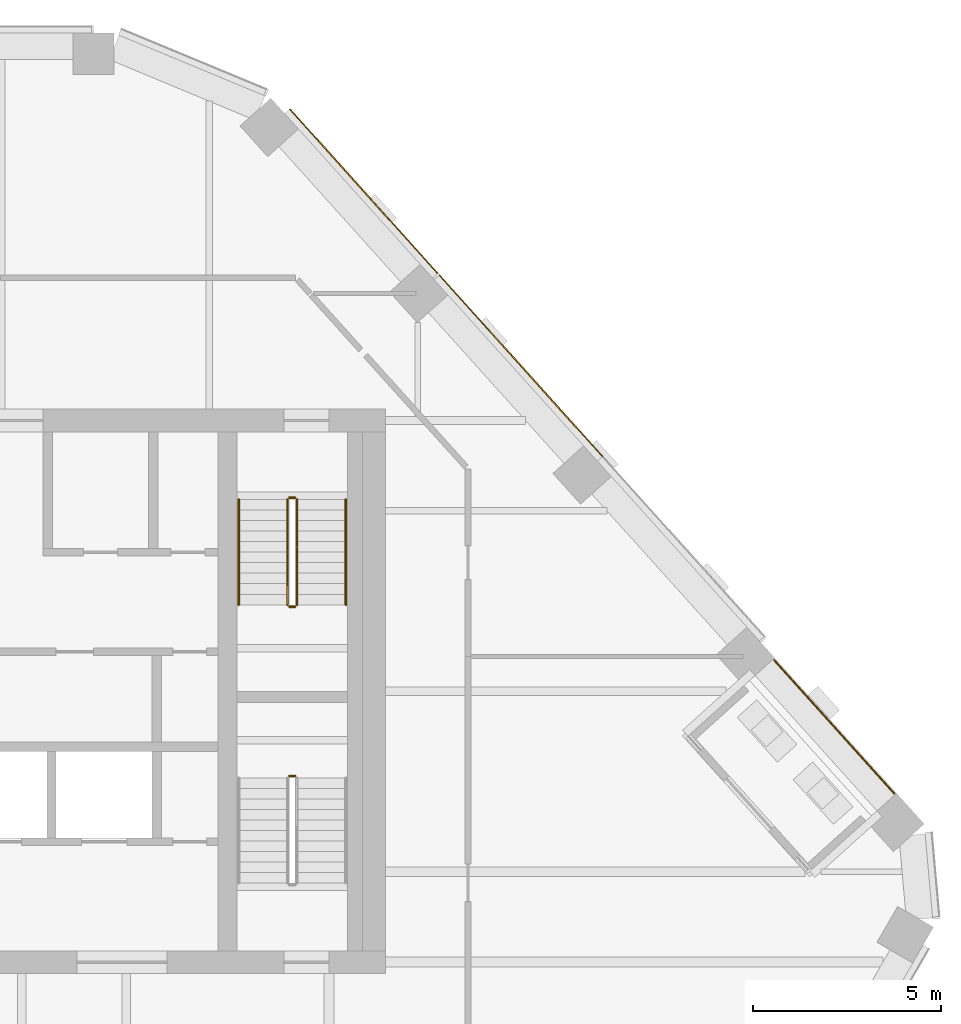
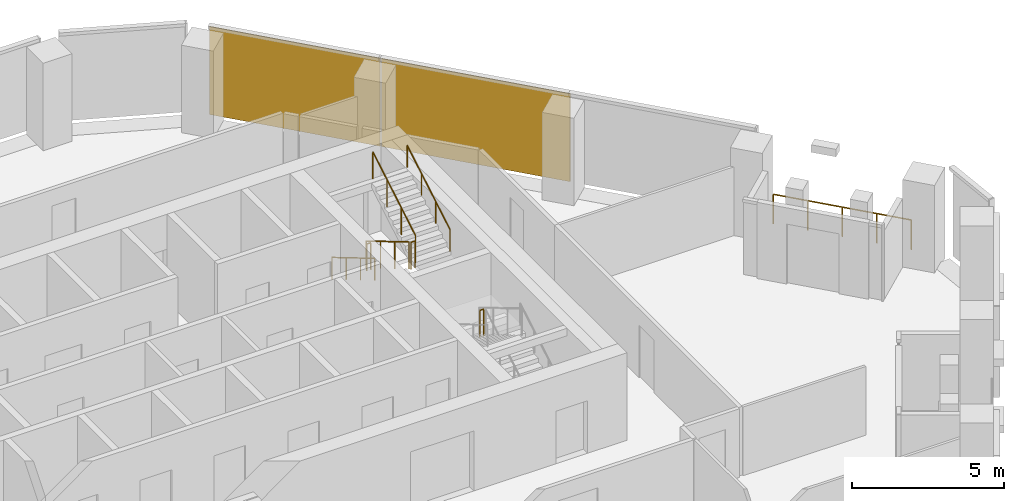
# One storey, part 24 of 25: 8 railings, 2 coverings, 1 element without a shape of its own.
"""IFC4 building model written with IfcOpenShell, lengths in metres."""

from ifc_helpers import new_model, si_unit, direction, frame, origin, origin_2d, place, context, subcontext, project, spatial, rectangle, circle, extrude, material, layer, layer_set, type_object, element, aggregate, save


model = new_model("IFC4")

# Units and contexts
model_context = context("Model", 3, precision=1e-05, world=origin(), true_north=direction((0.0, 1.0)))
body_context = subcontext(model_context, "Body", "Model", "MODEL_VIEW")
ifc_project = project(units=[si_unit("LENGTHUNIT", "METRE"), si_unit("AREAUNIT", "SQUARE_METRE"), si_unit("VOLUMEUNIT", "CUBIC_METRE"), si_unit("PLANEANGLEUNIT", "RADIAN"), si_unit("MASSUNIT", "GRAM", prefix="KILO")], contexts=[model_context])

# Site, building, storey
site_placement = place(None, origin())
site = spatial("IfcSite", under=ifc_project, at=site_placement, CompositionType="ELEMENT")
building_placement = place(site_placement, origin())
building = spatial("IfcBuilding", under=site, at=building_placement, Name="Isthmus Gate Tower", CompositionType="ELEMENT")
storey_placement = place(building_placement, frame((0.0, 0.0, 249.14990234375)))
storey = spatial("IfcBuildingStorey", under=building, at=storey_placement, Name="L63", CompositionType="ELEMENT", Elevation=249.14990234375)

# Curtain wall, coverings
ifc_material_1 = material(Name="Aluminium, pale champagne anodised", Category="aluminium")
ifc_layer_1 = layer(ifc_material_1, 0.199951171875)
ifc_layer_set_1 = layer_set([ifc_layer_1], Name="CW-1 UNITISED CURTAIN WALL 200 DEEP")
curtain_wall_type = type_object("IfcCurtainWallType", Name="CW-1 UNITISED CURTAIN WALL 200 DEEP", PredefinedType="NOTDEFINED", material=ifc_layer_set_1)
curtain_wall_placement = place(storey_placement, origin())
curtain_wall = element("IfcCurtainWall", 1, at=curtain_wall_placement, inside=storey, type_object=curtain_wall_type, Name="CW-1 NE L63", PredefinedType="NOTDEFINED")
ifc_material_2 = material(Name="Aluminium composite panel, pale champagne anodised", Category="aluminium")
ifc_layer_2 = layer(ifc_material_2, 0.031982421875)
ifc_layer_set_2 = layer_set([ifc_layer_2], Name="CW-1 PALE METAL PANEL 32")
covering_type = type_object("IfcCoveringType", Name="CW-1 PALE METAL PANEL 32", PredefinedType="CLADDING", material=ifc_layer_set_2)
covering_1_placement = place(storey_placement, frame((18.60693359375, 16.1552734375, 0.0), z_axis=(0.0, 0.0, 1.0), x_axis=(-0.669130606359, 0.743144825477, 0.0)))
covering_1 = element("IfcCovering", 2, at=covering_1_placement, type_object=covering_type, Name="CW-1 pale metal panel", PredefinedType="CLADDING", context=body_context, shape_type="SweptSolid", body=[
    extrude(rectangle(XDim=6.491943359375, YDim=0.031982421875, at=origin_2d()), origin(), (0.0, 0.0, 1.0), 3.52001953125),
])
covering_2_placement = place(storey_placement, frame((14.427001953125, 20.797607421875, 0.0), z_axis=(0.0, 0.0, 1.0), x_axis=(-0.669130606359, 0.743144825477, 0.0)))
covering_2 = element("IfcCovering", 3, at=covering_2_placement, type_object=covering_type, Name="CW-1 pale metal panel", PredefinedType="CLADDING", context=body_context, shape_type="SweptSolid", body=[
    extrude(rectangle(XDim=5.8818359375, YDim=0.031982421875, at=origin_2d()), origin(), (0.0, 0.0, 1.0), 3.52001953125),
])
aggregate(curtain_wall, [covering_1, covering_2])

# Railings
ifc_material_3 = material(Name="Toughened laminated glass with stainless steel posts", Category="steel")
railing_type_1 = type_object("IfcRailingType", Name="GUARD 1200 FRAMELESS GLASS", PredefinedType="GUARDRAIL", material=ifc_material_3)
railing_1_placement = place(storey_placement, frame((28.530029296875, 4.784912109375, 0.0)))
element("IfcRailing", 4, at=railing_1_placement, inside=storey, type_object=railing_type_1, Name="LOGGIA GUARD", PredefinedType="GUARDRAIL", context=body_context, shape_type="SweptSolid", body=[
    extrude(circle(Radius=0.02490234375, at=origin_2d()), frame((0.0, 0.0, 1.1748046875), z_axis=(-0.669120508754, 0.743153917277, 0.0), x_axis=(-0.743153917277, -0.669120508754, 0.0)), (0.0, 0.0, 1.0), 4.761962890625),
    extrude(circle(Radius=0.02490234375, at=origin_2d()), origin(), (0.0, 0.0, 1.0), 1.14990234375),
    extrude(circle(Radius=0.02490234375, at=origin_2d()), frame((-0.796630859375, 0.884765625, 0.0)), (0.0, 0.0, 1.0), 1.14990234375),
    extrude(circle(Radius=0.02490234375, at=origin_2d()), frame((-1.59326171875, 1.76953125, 0.0)), (0.0, 0.0, 1.0), 1.14990234375),
    extrude(circle(Radius=0.02490234375, at=origin_2d()), frame((-2.3896484375, 2.654052734375, 0.0)), (0.0, 0.0, 1.0), 1.14990234375),
    extrude(circle(Radius=0.02490234375, at=origin_2d()), frame((-3.186279296875, 3.538818359375, 0.0)), (0.0, 0.0, 1.0), 1.14990234375),
])
ifc_material_4 = material(Name="Stainless steel balustrade", Category="steel")
railing_type_2 = type_object("IfcRailingType", Name="STAIR GUARD 1100", PredefinedType="GUARDRAIL", material=ifc_material_4)
railing_2_placement = place(storey_placement, frame((12.39990234375, 12.60009765625, 0.166015625)))
element("IfcRailing", 5, at=railing_2_placement, inside=storey, type_object=railing_type_2, Name="L63 ST2 stair guard 1", PredefinedType="GUARDRAIL", context=body_context, shape_type="SweptSolid", body=[
    extrude(circle(Radius=0.02392578125, at=origin_2d()), frame((0.0, 0.0, 1.076171875), z_axis=(0.0, -0.860306154799, 0.50977771628), x_axis=(1.0, 0.0, 0.0)), (0.0, 0.0, 1.0), 3.254638671875),
    extrude(circle(Radius=0.02099609375, at=origin_2d()), origin(), (0.0, 0.0, 1.0), 1.052001953125),
    extrude(circle(Radius=0.02099609375, at=origin_2d()), frame((0.0, -0.933349609375, 0.552978515625)), (0.0, 0.0, 1.0), 1.052001953125),
    extrude(circle(Radius=0.02099609375, at=origin_2d()), frame((0.0, -1.86669921875, 1.106201171875)), (0.0, 0.0, 1.0), 1.052001953125),
    extrude(circle(Radius=0.02099609375, at=origin_2d()), frame((0.0, -2.800048828125, 1.6591796875)), (0.0, 0.0, 1.0), 1.052001953125),
])
railing_3_placement = place(storey_placement, frame((12.449951171875, 9.75, 1.8251953125)))
element("IfcRailing", 6, at=railing_3_placement, inside=storey, type_object=railing_type_2, Name="L63 ST2 stair guard 2", PredefinedType="GUARDRAIL", context=body_context, shape_type="SweptSolid", body=[
    extrude(circle(Radius=0.02392578125, at=origin_2d()), frame((0.0, 0.0, 1.076171875), z_axis=(1.0, 0.0, 0.0), x_axis=(0.0, 1.0, 0.0)), (0.0, 0.0, 1.0), 0.150146484375),
    extrude(circle(Radius=0.02099609375, at=origin_2d()), origin(), (0.0, 0.0, 1.0), 1.052001953125),
    extrude(circle(Radius=0.02099609375, at=origin_2d()), frame((0.150146484375, 0.0, 0.0)), (0.0, 0.0, 1.0), 1.052001953125),
])
railing_4_placement = place(storey_placement, frame((12.64990234375, 9.800048828125, 1.990966796875)))
element("IfcRailing", 7, at=railing_4_placement, inside=storey, type_object=railing_type_2, Name="L63 ST2 stair guard 3", PredefinedType="GUARDRAIL", context=body_context, shape_type="SweptSolid", body=[
    extrude(circle(Radius=0.02392578125, at=origin_2d()), frame((0.0, 0.0, 1.076171875), z_axis=(0.0, 0.860306154799, 0.50977771628), x_axis=(-1.0, 0.0, 0.0)), (0.0, 0.0, 1.0), 3.254638671875),
    extrude(circle(Radius=0.02099609375, at=origin_2d()), origin(), (0.0, 0.0, 1.0), 1.052001953125),
    extrude(circle(Radius=0.02099609375, at=origin_2d()), frame((0.0, 0.933349609375, 0.552978515625)), (0.0, 0.0, 1.0), 1.052001953125),
    extrude(circle(Radius=0.02099609375, at=origin_2d()), frame((0.0, 1.86669921875, 1.106201171875)), (0.0, 0.0, 1.0), 1.052001953125),
    extrude(circle(Radius=0.02099609375, at=origin_2d()), frame((0.0, 2.800048828125, 1.6591796875)), (0.0, 0.0, 1.0), 1.052001953125),
])
railing_5_placement = place(storey_placement, frame((12.449951171875, 12.64990234375, 0.0)))
element("IfcRailing", 8, at=railing_5_placement, inside=storey, type_object=railing_type_2, Name="L63 ST2 stair guard 4", PredefinedType="GUARDRAIL", context=body_context, shape_type="SweptSolid", body=[
    extrude(circle(Radius=0.02392578125, at=origin_2d()), frame((0.0, 0.0, 1.076171875), z_axis=(1.0, 0.0, 0.0), x_axis=(0.0, 1.0, 0.0)), (0.0, 0.0, 1.0), 0.150146484375),
    extrude(circle(Radius=0.02099609375, at=origin_2d()), origin(), (0.0, 0.0, 1.0), 1.052001953125),
    extrude(circle(Radius=0.02099609375, at=origin_2d()), frame((0.150146484375, 0.0, 0.0)), (0.0, 0.0, 1.0), 1.052001953125),
])
railing_6_placement = place(storey_placement, frame((12.60009765625, 5.25, 1.8251953125)))
element("IfcRailing", 9, at=railing_6_placement, inside=storey, type_object=railing_type_2, Name="L63 ST8 stair guard 2", PredefinedType="GUARDRAIL", context=body_context, shape_type="SweptSolid", body=[
    extrude(circle(Radius=0.02392578125, at=origin_2d()), frame((0.0, 0.0, 1.076171875), z_axis=(-1.0, 0.0, 0.0), x_axis=(0.0, -1.0, 0.0)), (0.0, 0.0, 1.0), 0.150146484375),
    extrude(circle(Radius=0.02099609375, at=origin_2d()), origin(), (0.0, 0.0, 1.0), 1.052001953125),
    extrude(circle(Radius=0.02099609375, at=origin_2d()), frame((-0.150146484375, 0.0, 0.0)), (0.0, 0.0, 1.0), 1.052001953125),
])
ifc_material_5 = material(Name="Stainless steel handrail", Category="steel")
railing_type_3 = type_object("IfcRailingType", Name="STAIR HANDRAIL 900", PredefinedType="HANDRAIL", material=ifc_material_5)
railing_7_placement = place(storey_placement, frame((11.10009765625, 12.60009765625, 0.166015625)))
element("IfcRailing", 10, at=railing_7_placement, inside=storey, type_object=railing_type_3, Name="L63 ST2 stair handrail 1", PredefinedType="HANDRAIL", context=body_context, shape_type="SweptSolid", body=[
    extrude(circle(Radius=0.02392578125, at=origin_2d()), frame((0.0, 0.0, 0.8759765625), z_axis=(0.0, -0.860306154799, 0.50977771628), x_axis=(1.0, 0.0, 0.0)), (0.0, 0.0, 1.0), 3.254638671875),
    extrude(circle(Radius=0.02099609375, at=origin_2d()), origin(), (0.0, 0.0, 1.0), 0.851806640625),
    extrude(circle(Radius=0.02099609375, at=origin_2d()), frame((0.0, -0.933349609375, 0.552978515625)), (0.0, 0.0, 1.0), 0.851806640625),
    extrude(circle(Radius=0.02099609375, at=origin_2d()), frame((0.0, -1.86669921875, 1.106201171875)), (0.0, 0.0, 1.0), 0.851806640625),
    extrude(circle(Radius=0.02099609375, at=origin_2d()), frame((0.0, -2.800048828125, 1.6591796875)), (0.0, 0.0, 1.0), 0.851806640625),
])
railing_8_placement = place(storey_placement, frame((13.949951171875, 9.800048828125, 1.990966796875)))
element("IfcRailing", 11, at=railing_8_placement, inside=storey, type_object=railing_type_3, Name="L63 ST2 stair handrail 2", PredefinedType="HANDRAIL", context=body_context, shape_type="SweptSolid", body=[
    extrude(circle(Radius=0.02392578125, at=origin_2d()), frame((0.0, 0.0, 0.8759765625), z_axis=(0.0, 0.860306154799, 0.50977771628), x_axis=(-1.0, 0.0, 0.0)), (0.0, 0.0, 1.0), 3.254638671875),
    extrude(circle(Radius=0.02099609375, at=origin_2d()), origin(), (0.0, 0.0, 1.0), 0.851806640625),
    extrude(circle(Radius=0.02099609375, at=origin_2d()), frame((0.0, 0.933349609375, 0.552978515625)), (0.0, 0.0, 1.0), 0.851806640625),
    extrude(circle(Radius=0.02099609375, at=origin_2d()), frame((0.0, 1.86669921875, 1.106201171875)), (0.0, 0.0, 1.0), 0.851806640625),
    extrude(circle(Radius=0.02099609375, at=origin_2d()), frame((0.0, 2.800048828125, 1.6591796875)), (0.0, 0.0, 1.0), 0.851806640625),
])

save(model, "model.ifc")
